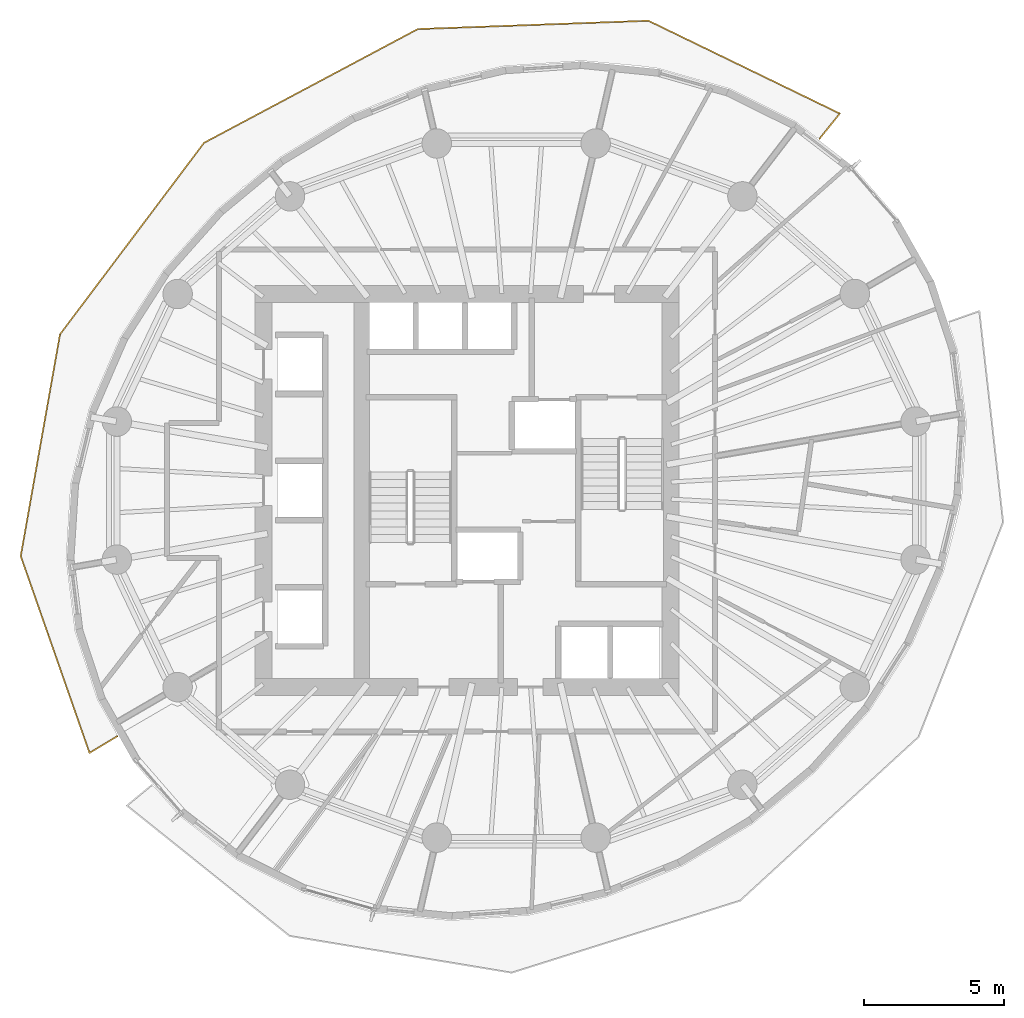
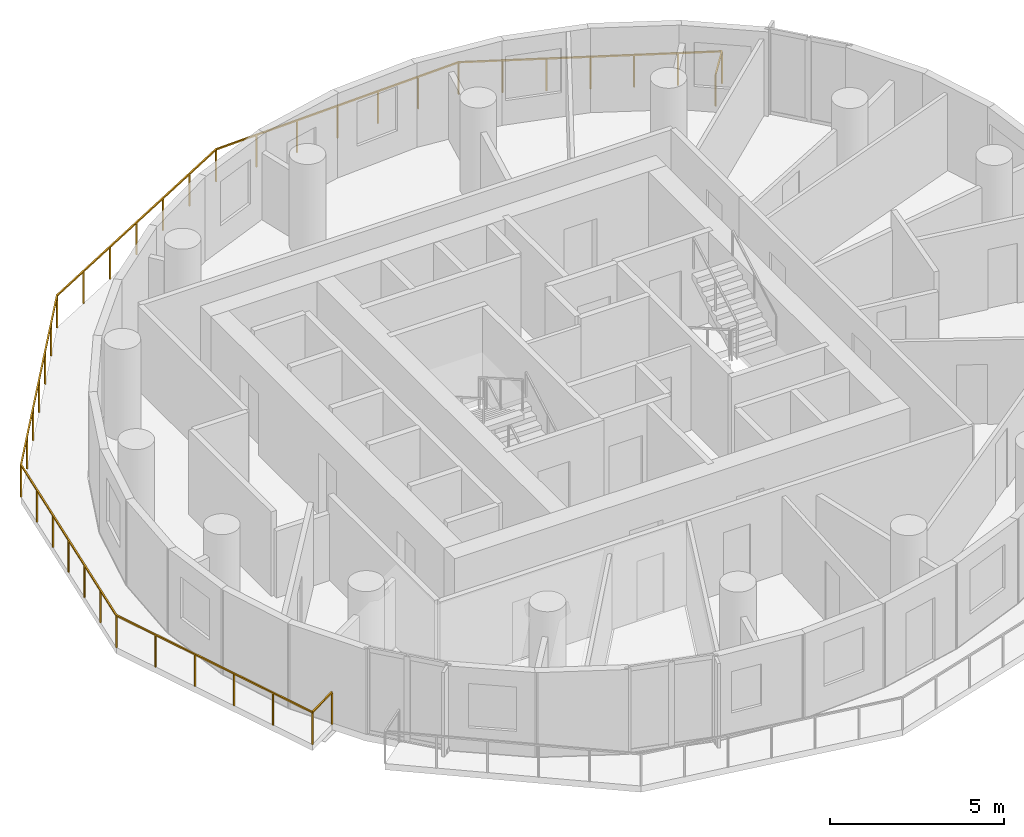
# One storey, part 11 of 12: 1 railing.
"""IFC4 building model written with IfcOpenShell, lengths in metres."""

from ifc_helpers import new_model, si_unit, direction, frame, origin, origin_2d, place, context, subcontext, project, spatial, rectangle, extrude, material, type_object, element, save


model = new_model("IFC4")

# Units and contexts
model_context = context("Model", 3, precision=1e-05, world=origin(), true_north=direction((0.0, 1.0)))
body_context = subcontext(model_context, "Body", "Model", "MODEL_VIEW")
ifc_project = project(units=[si_unit("LENGTHUNIT", "METRE"), si_unit("AREAUNIT", "SQUARE_METRE"), si_unit("VOLUMEUNIT", "CUBIC_METRE"), si_unit("PLANEANGLEUNIT", "RADIAN"), si_unit("MASSUNIT", "GRAM", prefix="KILO")], contexts=[model_context])

# Site, building, storey
site_placement = place(None, origin())
site = spatial("IfcSite", under=ifc_project, at=site_placement, CompositionType="ELEMENT")
building_placement = place(site_placement, origin())
building = spatial("IfcBuilding", under=site, at=building_placement, Name="Veldorim Arch Residences", CompositionType="ELEMENT")
storey_placement = place(building_placement, frame((0.0, 0.0, 148.9599609375)))
storey = spatial("IfcBuildingStorey", under=building, at=storey_placement, Name="L44", CompositionType="ELEMENT", Elevation=148.9599609375)

# Railing
ifc_material = material(Name="Aluminium", Category="aluminium")
railing_type = type_object("IfcRailingType", Name="Balcony & Terrace Laminated Glass Balustrade 1150", PredefinedType="BALUSTRADE", material=ifc_material)
railing_placement = place(storey_placement, frame((42.803955078125, 36.531005859375, 0.0)))
element("IfcRailing", 1, at=railing_placement, inside=storey, type_object=railing_type, Name="L44 crescent balcony safety balustrade A", PredefinedType="BALUSTRADE", context=body_context, shape_type="SweptSolid", body=[
    extrude(rectangle(XDim=0.048095703125, YDim=0.048095703125, at=origin_2d()), frame((0.0, 0.0, 1.1259765625), z_axis=(0.626298958503, 0.779582974787, 0.0), x_axis=(-0.779582974787, 0.626298958503, 0.0)), (0.0, 0.0, 1.0), 1.14990234375),
    extrude(rectangle(XDim=0.048095703125, YDim=0.048095703125, at=origin_2d()), frame((0.72021484375, 0.896484375, 1.1259765625), z_axis=(-0.89975046022, 0.436404754022, 0.0), x_axis=(-0.436404754022, -0.89975046022, 0.0)), (0.0, 0.0, 1.0), 7.575927734375),
    extrude(rectangle(XDim=0.048095703125, YDim=0.048095703125, at=origin_2d()), frame((-6.09619140625, 4.20263671875, 1.1259765625), z_axis=(-0.999346635953, -0.036142789181, 0.0), x_axis=(0.036142789181, -0.999346635953, 0.0)), (0.0, 0.0, 1.0), 8.220703125),
    extrude(rectangle(XDim=0.048095703125, YDim=0.048095703125, at=origin_2d()), frame((-14.3115234375, 3.905517578125, 1.1259765625), z_axis=(-0.882749221414, -0.469844455212, 0.0), x_axis=(0.469844455212, -0.882749221414, 0.0)), (0.0, 0.0, 1.0), 8.62255859375),
    extrude(rectangle(XDim=0.048095703125, YDim=0.048095703125, at=origin_2d()), frame((-21.923095703125, -0.145751953125, 1.1259765625), z_axis=(-0.601088899383, -0.799182166367, 0.0), x_axis=(0.799182166367, -0.601088899383, 0.0)), (0.0, 0.0, 1.0), 8.533447265625),
    extrude(rectangle(XDim=0.048095703125, YDim=0.048095703125, at=origin_2d()), frame((-27.052490234375, -6.965576171875, 1.1259765625), z_axis=(-0.174401799954, -0.98467457171, 0.0), x_axis=(0.98467457171, -0.174401799954, 0.0)), (0.0, 0.0, 1.0), 8.019775390625),
    extrude(rectangle(XDim=0.048095703125, YDim=0.048095703125, at=origin_2d()), frame((-28.451171875, -14.862548828125, 1.1259765625), z_axis=(0.329977122351, -0.943988929344, 0.0), x_axis=(0.943988929344, 0.329977122351, 0.0)), (0.0, 0.0, 1.0), 7.428955078125),
    extrude(rectangle(XDim=0.048095703125, YDim=0.048095703125, at=origin_2d()), frame((-25.999755859375, -21.87548828125, 1.1259765625), z_axis=(0.856554970004, 0.516055794815, 0.0), x_axis=(-0.516055794815, 0.856554970004, 0.0)), (0.0, 0.0, 1.0), 1.150146484375),
    extrude(rectangle(XDim=0.0419921875, YDim=0.0419921875, at=origin_2d()), origin(), (0.0, 0.0, 1.0), 1.101806640625),
    extrude(rectangle(XDim=0.0419921875, YDim=0.0419921875, at=origin_2d()), frame((0.72021484375, 0.896484375, 0.0)), (0.0, 0.0, 1.0), 1.101806640625),
    extrude(rectangle(XDim=0.0419921875, YDim=0.0419921875, at=origin_2d()), frame((-0.415771484375, 1.447509765625, 0.0)), (0.0, 0.0, 1.0), 1.101806640625),
    extrude(rectangle(XDim=0.0419921875, YDim=0.0419921875, at=origin_2d()), frame((-1.552001953125, 1.99853515625, 0.0)), (0.0, 0.0, 1.0), 1.101806640625),
    extrude(rectangle(XDim=0.0419921875, YDim=0.0419921875, at=origin_2d()), frame((-2.68798828125, 2.549560546875, 0.0)), (0.0, 0.0, 1.0), 1.101806640625),
    extrude(rectangle(XDim=0.0419921875, YDim=0.0419921875, at=origin_2d()), frame((-3.823974609375, 3.1005859375, 0.0)), (0.0, 0.0, 1.0), 1.101806640625),
    extrude(rectangle(XDim=0.0419921875, YDim=0.0419921875, at=origin_2d()), frame((-4.960205078125, 3.651611328125, 0.0)), (0.0, 0.0, 1.0), 1.101806640625),
    extrude(rectangle(XDim=0.0419921875, YDim=0.0419921875, at=origin_2d()), frame((-6.09619140625, 4.20263671875, 0.0)), (0.0, 0.0, 1.0), 1.101806640625),
    extrude(rectangle(XDim=0.0419921875, YDim=0.0419921875, at=origin_2d()), frame((-7.46533203125, 4.153076171875, 0.0)), (0.0, 0.0, 1.0), 1.101806640625),
    extrude(rectangle(XDim=0.0419921875, YDim=0.0419921875, at=origin_2d()), frame((-8.834716796875, 4.103515625, 0.0)), (0.0, 0.0, 1.0), 1.101806640625),
    extrude(rectangle(XDim=0.0419921875, YDim=0.0419921875, at=origin_2d()), frame((-10.203857421875, 4.05419921875, 0.0)), (0.0, 0.0, 1.0), 1.101806640625),
    extrude(rectangle(XDim=0.0419921875, YDim=0.0419921875, at=origin_2d()), frame((-11.572998046875, 4.004638671875, 0.0)), (0.0, 0.0, 1.0), 1.101806640625),
    extrude(rectangle(XDim=0.0419921875, YDim=0.0419921875, at=origin_2d()), frame((-12.9423828125, 3.955078125, 0.0)), (0.0, 0.0, 1.0), 1.101806640625),
    extrude(rectangle(XDim=0.0419921875, YDim=0.0419921875, at=origin_2d()), frame((-14.3115234375, 3.905517578125, 0.0)), (0.0, 0.0, 1.0), 1.101806640625),
    extrude(rectangle(XDim=0.0419921875, YDim=0.0419921875, at=origin_2d()), frame((-15.580078125, 3.230224609375, 0.0)), (0.0, 0.0, 1.0), 1.101806640625),
    extrude(rectangle(XDim=0.0419921875, YDim=0.0419921875, at=origin_2d()), frame((-16.8486328125, 2.55517578125, 0.0)), (0.0, 0.0, 1.0), 1.101806640625),
    extrude(rectangle(XDim=0.0419921875, YDim=0.0419921875, at=origin_2d()), frame((-18.1171875, 1.8798828125, 0.0)), (0.0, 0.0, 1.0), 1.101806640625),
    extrude(rectangle(XDim=0.0419921875, YDim=0.0419921875, at=origin_2d()), frame((-19.385986328125, 1.20458984375, 0.0)), (0.0, 0.0, 1.0), 1.101806640625),
    extrude(rectangle(XDim=0.0419921875, YDim=0.0419921875, at=origin_2d()), frame((-20.654541015625, 0.529541015625, 0.0)), (0.0, 0.0, 1.0), 1.101806640625),
    extrude(rectangle(XDim=0.0419921875, YDim=0.0419921875, at=origin_2d()), frame((-21.923095703125, -0.145751953125, 0.0)), (0.0, 0.0, 1.0), 1.101806640625),
    extrude(rectangle(XDim=0.0419921875, YDim=0.0419921875, at=origin_2d()), frame((-22.778076171875, -1.282470703125, 0.0)), (0.0, 0.0, 1.0), 1.101806640625),
    extrude(rectangle(XDim=0.0419921875, YDim=0.0419921875, at=origin_2d()), frame((-23.6328125, -2.4189453125, 0.0)), (0.0, 0.0, 1.0), 1.101806640625),
    extrude(rectangle(XDim=0.0419921875, YDim=0.0419921875, at=origin_2d()), frame((-24.48779296875, -3.5556640625, 0.0)), (0.0, 0.0, 1.0), 1.101806640625),
    extrude(rectangle(XDim=0.0419921875, YDim=0.0419921875, at=origin_2d()), frame((-25.3427734375, -4.6923828125, 0.0)), (0.0, 0.0, 1.0), 1.101806640625),
    extrude(rectangle(XDim=0.0419921875, YDim=0.0419921875, at=origin_2d()), frame((-26.197509765625, -5.828857421875, 0.0)), (0.0, 0.0, 1.0), 1.101806640625),
    extrude(rectangle(XDim=0.0419921875, YDim=0.0419921875, at=origin_2d()), frame((-27.052490234375, -6.965576171875, 0.0)), (0.0, 0.0, 1.0), 1.101806640625),
    extrude(rectangle(XDim=0.0419921875, YDim=0.0419921875, at=origin_2d()), frame((-27.28564453125, -8.28173828125, 0.0)), (0.0, 0.0, 1.0), 1.101806640625),
    extrude(rectangle(XDim=0.0419921875, YDim=0.0419921875, at=origin_2d()), frame((-27.518798828125, -9.597900390625, 0.0)), (0.0, 0.0, 1.0), 1.101806640625),
    extrude(rectangle(XDim=0.0419921875, YDim=0.0419921875, at=origin_2d()), frame((-27.751953125, -10.9140625, 0.0)), (0.0, 0.0, 1.0), 1.101806640625),
    extrude(rectangle(XDim=0.0419921875, YDim=0.0419921875, at=origin_2d()), frame((-27.98486328125, -12.230224609375, 0.0)), (0.0, 0.0, 1.0), 1.101806640625),
    extrude(rectangle(XDim=0.0419921875, YDim=0.0419921875, at=origin_2d()), frame((-28.218017578125, -13.54638671875, 0.0)), (0.0, 0.0, 1.0), 1.101806640625),
    extrude(rectangle(XDim=0.0419921875, YDim=0.0419921875, at=origin_2d()), frame((-28.451171875, -14.862548828125, 0.0)), (0.0, 0.0, 1.0), 1.101806640625),
    extrude(rectangle(XDim=0.0419921875, YDim=0.0419921875, at=origin_2d()), frame((-27.9609375, -16.26513671875, 0.0)), (0.0, 0.0, 1.0), 1.101806640625),
    extrude(rectangle(XDim=0.0419921875, YDim=0.0419921875, at=origin_2d()), frame((-27.470703125, -17.667724609375, 0.0)), (0.0, 0.0, 1.0), 1.101806640625),
    extrude(rectangle(XDim=0.0419921875, YDim=0.0419921875, at=origin_2d()), frame((-26.980224609375, -19.0703125, 0.0)), (0.0, 0.0, 1.0), 1.101806640625),
    extrude(rectangle(XDim=0.0419921875, YDim=0.0419921875, at=origin_2d()), frame((-26.489990234375, -20.472900390625, 0.0)), (0.0, 0.0, 1.0), 1.101806640625),
    extrude(rectangle(XDim=0.0419921875, YDim=0.0419921875, at=origin_2d()), frame((-25.999755859375, -21.87548828125, 0.0)), (0.0, 0.0, 1.0), 1.101806640625),
    extrude(rectangle(XDim=0.0419921875, YDim=0.0419921875, at=origin_2d()), frame((-25.0146484375, -21.281982421875, 0.0)), (0.0, 0.0, 1.0), 1.101806640625),
])

save(model, "model.ifc")
